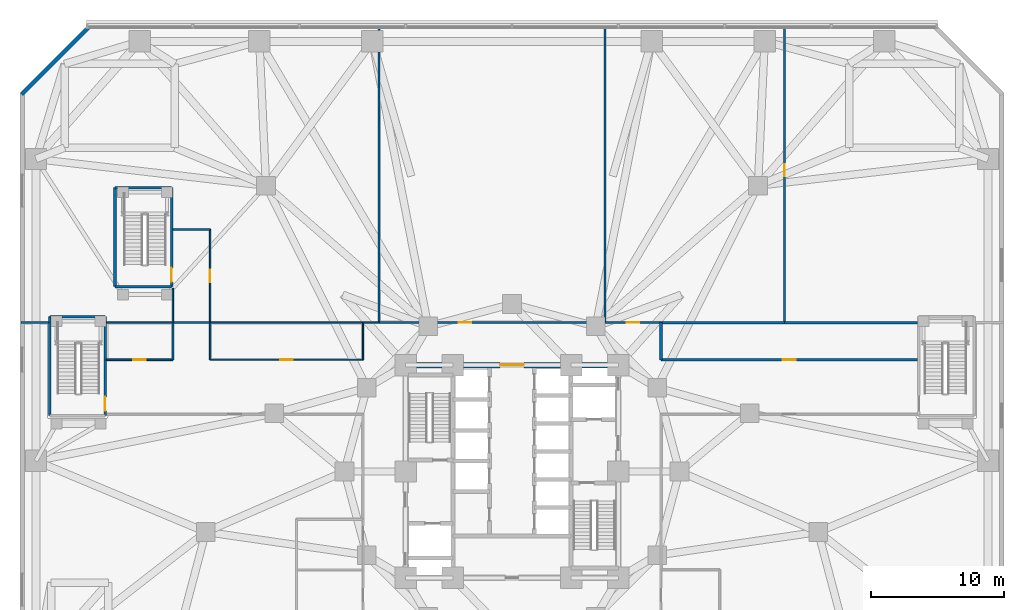
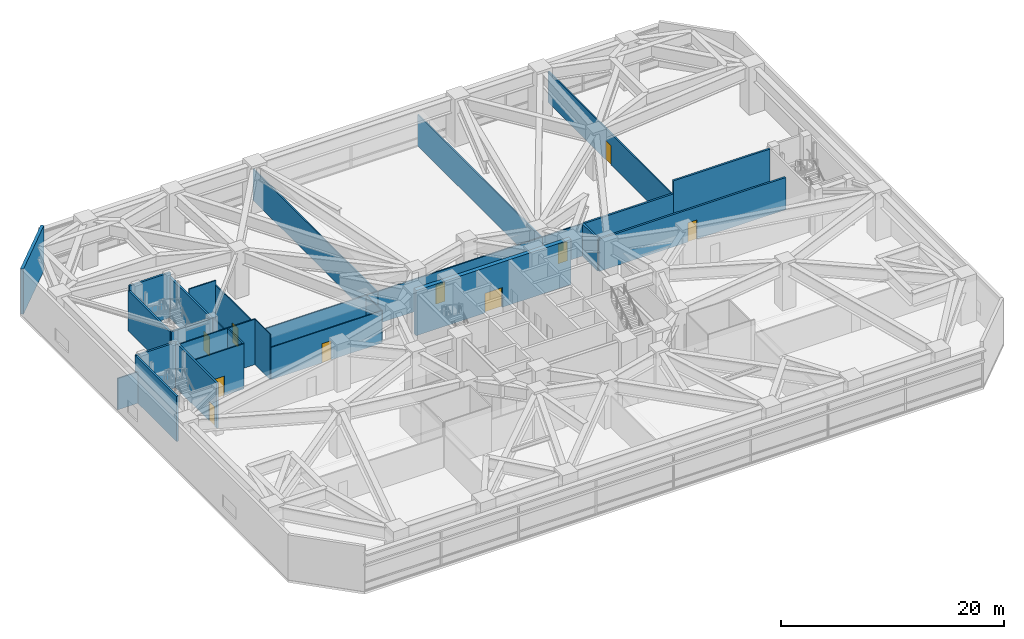
# One storey, part 17 of 27: 31 walls, 10 doors, 10 openings.
"""IFC4 building model written with IfcOpenShell, lengths in metres."""

from ifc_helpers import new_model, si_unit, direction, frame, frame_2d, origin, place, context, subcontext, project, spatial, rectangle, extrude, material, layer, layer_set, type_object, element, fill, save


model = new_model("IFC4")

# Units and contexts
model_context = context("Model", 3, precision=1e-05, world=origin(), true_north=direction((0.0, 1.0)))
body_context = subcontext(model_context, "Body", "Model", "MODEL_VIEW")
ifc_project = project(units=[si_unit("LENGTHUNIT", "METRE"), si_unit("AREAUNIT", "SQUARE_METRE"), si_unit("VOLUMEUNIT", "CUBIC_METRE"), si_unit("PLANEANGLEUNIT", "RADIAN"), si_unit("MASSUNIT", "GRAM", prefix="KILO")], contexts=[model_context])

# Site, building, storey
site_placement = place(None, origin())
site = spatial("IfcSite", under=ifc_project, at=site_placement, CompositionType="ELEMENT")
building_placement = place(site_placement, origin())
building = spatial("IfcBuilding", under=site, at=building_placement, Name="Terralouvre Media Tower", CompositionType="ELEMENT")
storey_placement = place(building_placement, frame((0.0, 0.0, 20.800048828125)))
storey = spatial("IfcBuildingStorey", under=building, at=storey_placement, Name="L04", CompositionType="ELEMENT", Elevation=20.800048828125)

# Wall, opening, door
ifc_material_1 = material(Name="Concrete C60/75", Category="concrete")
ifc_layer_1 = layer(ifc_material_1, 0.419921875, Name="Core Reinforced Concrete Shear Wall CW-420")
ifc_layer_set_1 = layer_set([ifc_layer_1], Name="Concrete C60/75")
wall_type_1 = type_object("IfcWallType", Name="Core Reinforced Concrete Shear Wall CW-420", PredefinedType="SHEAR", material=ifc_layer_set_1)
wall_1_placement = place(storey_placement, frame((-8.0, 8.0, 0.0), z_axis=(0.0, 0.0, 1.0), x_axis=(1.0, 0.0, 0.0)))
wall_1 = element("IfcWall", 1, at=wall_1_placement, inside=storey, type_object=wall_type_1, Name="L04 N Core Shear Wall", PredefinedType="SHEAR", context=body_context, shape_type="SweptSolid", body=[
    extrude(rectangle(XDim=16.0, YDim=0.419921875, at=frame_2d((8.0, 0.0))), origin(), (0.0, 0.0, 1.0), 4.93994140625),
])
opening_1_placement = place(wall_1_placement, frame((7.10009765625, 0.0, 0.0)))
opening_1 = element("IfcOpeningElement", 2, at=opening_1_placement, cuts=wall_1, Name="Opening FD-03", PredefinedType="OPENING", context=body_context, shape_type="SweptSolid", body=[
    extrude(rectangle(XDim=1.800048828125, YDim=2.14990234375, at=frame_2d((0.89990234375, 1.074951171875))), frame((0.0, 0.219970703125, 0.0), z_axis=(0.0, -1.0, 0.0), x_axis=(1.0, 0.0, 0.0)), (0.0, 0.0, 1.0), 0.43994140625),
])
ifc_material_2 = material(Name="Galvanised steel fire-resisting leaf", Category="steel")
door_type_1 = type_object("IfcDoorType", Name="Corridor Smoke-Control Double Door FD-03", OperationType="DOUBLE_DOOR_SINGLE_SWING", PredefinedType="DOOR", material=ifc_material_2)
door_1_placement = place(opening_1_placement, origin())
door_1 = element("IfcDoor", 3, at=door_1_placement, inside=storey, type_object=door_type_1, Name="L04 Central Lift Lobby Portal Door", OperationType="DOUBLE_DOOR_SINGLE_SWING", OverallHeight=2.14990234375, OverallWidth=1.800048828125, PredefinedType="DOOR", context=body_context, shape_type="SweptSolid", body=[
    extrude(rectangle(XDim=1.800048828125, YDim=2.14990234375, at=frame_2d((0.89990234375, 1.074951171875))), frame((0.0, 0.02490234375, 0.0), z_axis=(0.0, -1.0, 0.0), x_axis=(1.0, 0.0, 0.0)), (0.0, 0.0, 1.0), 0.050048828125),
])
fill(opening_1, door_1)

# Wall
ifc_material_3 = material(Name="Low-iron laminated double glazing with solar-control coating", Category="glass")
ifc_layer_2 = layer(ifc_material_3, 0.10009765625, Name="Demountable Glazed Office Partition PT-GL100")
ifc_layer_set_2 = layer_set([ifc_layer_2], Name="Low-iron laminated double glazing with solar-control coating")
wall_type_2 = type_object("IfcWallType", Name="Demountable Glazed Office Partition PT-GL100", PredefinedType="MOVABLE", material=ifc_layer_set_2)
wall_2_placement = place(storey_placement, frame((-11.199951171875, 11.199951171875, 0.0), z_axis=(0.0, 0.0, 1.0), x_axis=(0.0, -1.0, 0.0)))
element("IfcWall", 4, at=wall_2_placement, inside=storey, type_object=wall_type_2, Name="L04 Interior Partition 016", PredefinedType="MOVABLE", context=body_context, shape_type="SweptSolid", body=[
    extrude(rectangle(XDim=2.800048828125, YDim=0.10009765625, at=frame_2d((1.39990234375, 0.0))), origin(), (0.0, 0.0, 1.0), 3.52490234375),
])

# Wall, opening, door
wall_3_placement = place(storey_placement, frame((-11.199951171875, 8.39990234375, 0.0), z_axis=(0.0, 0.0, 1.0), x_axis=(-1.0, 0.0, 0.0)))
wall_3 = element("IfcWall", 5, at=wall_3_placement, inside=storey, type_object=wall_type_2, Name="L04 Interior Partition 017", PredefinedType="MOVABLE", context=body_context, shape_type="SweptSolid", body=[
    extrude(rectangle(XDim=11.5, YDim=0.10009765625, at=frame_2d((5.75, 0.0))), origin(), (0.0, 0.0, 1.0), 3.52490234375),
])
opening_2_placement = place(wall_3_placement, frame((5.27490234375, 0.0, 0.0)))
opening_2 = element("IfcOpeningElement", 6, at=opening_2_placement, cuts=wall_3, Name="Opening ID-02-95X210", PredefinedType="OPENING", context=body_context, shape_type="SweptSolid", body=[
    extrude(rectangle(XDim=0.949951171875, YDim=2.10009765625, at=frame_2d((0.47509765625, 1.050048828125))), frame((0.0, 0.06005859375, 0.0), z_axis=(0.0, -1.0, 0.0), x_axis=(1.0, 0.0, 0.0)), (0.0, 0.0, 1.0), 0.1201171875),
])
ifc_material_4 = material(Name="Engineered hardwood acoustic timber leaf", Category="wood")
door_type_2 = type_object("IfcDoorType", Name="Office and Meeting Room Door ID-02 (950x2100)", OperationType="NOTDEFINED", PredefinedType="DOOR", material=ifc_material_4)
door_2_placement = place(opening_2_placement, origin())
door_2 = element("IfcDoor", 7, at=door_2_placement, inside=storey, type_object=door_type_2, Name="L04 L04 Media Training Academy Classroom 12 Door", OperationType="SINGLE_SWING_LEFT", OverallHeight=2.10009765625, OverallWidth=0.949951171875, PredefinedType="DOOR", context=body_context, shape_type="SweptSolid", body=[
    extrude(rectangle(XDim=0.949951171875, YDim=2.10009765625, at=frame_2d((0.47509765625, 1.050048828125))), frame((0.0, 0.02490234375, 0.0), z_axis=(0.0, -1.0, 0.0), x_axis=(1.0, 0.0, 0.0)), (0.0, 0.0, 1.0), 0.050048828125),
])
fill(opening_2, door_2)

# Wall
wall_4_placement = place(storey_placement, frame((-22.699951171875, 8.39990234375, 0.0), z_axis=(0.0, 0.0, 1.0), x_axis=(0.0, 1.0, 0.0)))
element("IfcWall", 8, at=wall_4_placement, inside=storey, type_object=wall_type_2, Name="L04 Interior Partition 018", PredefinedType="MOVABLE", context=body_context, shape_type="SweptSolid", body=[
    extrude(rectangle(XDim=2.800048828125, YDim=0.10009765625, at=frame_2d((1.39990234375, 0.0))), origin(), (0.0, 0.0, 1.0), 4.93994140625),
])

# Wall, opening, door
ifc_material_5 = material(Name="Fire-rated gypsum board drywall partition")
ifc_layer_3 = layer(ifc_material_5, 0.199951171875, Name="Fire-Rated Shaft and Lobby Partition FW-200")
ifc_layer_set_3 = layer_set([ifc_layer_3], Name="Fire-rated gypsum board drywall partition")
wall_type_3 = type_object("IfcWallType", Name="Fire-Rated Shaft and Lobby Partition FW-200", PredefinedType="SOLIDWALL", material=ifc_layer_set_3)
wall_5_placement = place(storey_placement, frame((-30.60009765625, 4.199951171875, 0.0), z_axis=(0.0, 0.0, 1.0), x_axis=(0.0, 1.0, 0.0)))
wall_5 = element("IfcWall", 9, at=wall_5_placement, inside=storey, type_object=wall_type_3, Name="L04 ST03 Stair Shaft Wall E", PredefinedType="SOLIDWALL", context=body_context, shape_type="SweptSolid", body=[
    extrude(rectangle(XDim=7.449951171875, YDim=0.199951171875, at=frame_2d((3.72509765625, 0.0))), origin(), (0.0, 0.0, 1.0), 4.93994140625),
])
opening_3_placement = place(wall_5_placement, frame((0.360107421875, 0.0, 0.0)))
opening_3 = element("IfcOpeningElement", 10, at=opening_3_placement, cuts=wall_5, Name="Opening FD-01-105X215", PredefinedType="OPENING", context=body_context, shape_type="SweptSolid", body=[
    extrude(rectangle(XDim=1.050048828125, YDim=2.14990234375, at=frame_2d((0.52490234375, 1.074951171875))), frame((0.0, 0.10986328125, 0.0), z_axis=(0.0, -1.0, 0.0), x_axis=(1.0, 0.0, 0.0)), (0.0, 0.0, 1.0), 0.219970703125),
])
ifc_material_6 = material(Name="Galvanised steel fire-resisting leaf", Category="steel")
door_type_3 = type_object("IfcDoorType", Name="Stair and Firefighting Lobby Fire Door FD-01 (1050x2150)", OperationType="NOTDEFINED", PredefinedType="DOOR", material=ifc_material_6)
door_3_placement = place(opening_3_placement, origin())
door_3 = element("IfcDoor", 11, at=door_3_placement, inside=storey, type_object=door_type_3, Name="L04 ST03 Pressurised Stair Door", OperationType="SINGLE_SWING_RIGHT", OverallHeight=2.14990234375, OverallWidth=1.050048828125, PredefinedType="DOOR", context=body_context, shape_type="SweptSolid", body=[
    extrude(rectangle(XDim=1.050048828125, YDim=2.14990234375, at=frame_2d((0.52490234375, 1.074951171875))), frame((0.0, 0.02490234375, 0.0), z_axis=(0.0, -1.0, 0.0), x_axis=(1.0, 0.0, 0.0)), (0.0, 0.0, 1.0), 0.050048828125),
])
fill(opening_3, door_3)

# Walls
wall_6_placement = place(storey_placement, frame((-30.60009765625, 11.64990234375, 0.0), z_axis=(0.0, 0.0, 1.0), x_axis=(-1.0, 0.0, 0.0)))
element("IfcWall", 12, at=wall_6_placement, inside=storey, type_object=wall_type_3, Name="L04 ST03 Stair Shaft Wall N", PredefinedType="SOLIDWALL", context=body_context, shape_type="SweptSolid", body=[
    extrude(rectangle(XDim=4.14990234375, YDim=0.199951171875, at=frame_2d((2.074951171875, 0.0))), origin(), (0.0, 0.0, 1.0), 4.93994140625),
])
wall_7_placement = place(storey_placement, frame((-34.75, 11.64990234375, 0.0), z_axis=(0.0, 0.0, 1.0), x_axis=(0.0, -1.0, 0.0)))
element("IfcWall", 13, at=wall_7_placement, inside=storey, type_object=wall_type_3, Name="L04 ST03 Stair Shaft Wall W", PredefinedType="SOLIDWALL", context=body_context, shape_type="SweptSolid", body=[
    extrude(rectangle(XDim=7.449951171875, YDim=0.199951171875, at=frame_2d((3.72509765625, 0.0))), origin(), (0.0, 0.0, 1.0), 4.93994140625),
])
wall_8_placement = place(storey_placement, frame((-29.85009765625, 13.89990234375, 0.0), z_axis=(0.0, 0.0, 1.0), x_axis=(1.0, 0.0, 0.0)))
element("IfcWall", 14, at=wall_8_placement, inside=storey, type_object=wall_type_3, Name="L04 ST06 Stair Shaft Wall S", PredefinedType="SOLIDWALL", context=body_context, shape_type="SweptSolid", body=[
    extrude(rectangle(XDim=4.25, YDim=0.199951171875, at=frame_2d((2.125, 0.0))), origin(), (0.0, 0.0, 1.0), 4.425048828125),
])

# Wall, opening, door
wall_9_placement = place(storey_placement, frame((-25.60009765625, 13.89990234375, 0.0), z_axis=(0.0, 0.0, 1.0), x_axis=(0.0, 1.0, 0.0)))
wall_9 = element("IfcWall", 15, at=wall_9_placement, inside=storey, type_object=wall_type_3, Name="L04 ST06 Stair Shaft Wall E", PredefinedType="SOLIDWALL", context=body_context, shape_type="SweptSolid", body=[
    extrude(rectangle(XDim=7.4501953125, YDim=0.199951171875, at=frame_2d((3.72509765625, 0.0))), origin(), (0.0, 0.0, 1.0), 4.425048828125),
])
opening_4_placement = place(wall_9_placement, frame((0.360107421875, 0.0, 0.0)))
opening_4 = element("IfcOpeningElement", 16, at=opening_4_placement, cuts=wall_9, Name="Opening FD-01-105X215", PredefinedType="OPENING", context=body_context, shape_type="SweptSolid", body=[
    extrude(rectangle(XDim=1.050048828125, YDim=2.14990234375, at=frame_2d((0.52490234375, 1.074951171875))), frame((0.0, 0.10986328125, 0.0), z_axis=(0.0, -1.0, 0.0), x_axis=(1.0, 0.0, 0.0)), (0.0, 0.0, 1.0), 0.219970703125),
])
door_4_placement = place(opening_4_placement, origin())
door_4 = element("IfcDoor", 17, at=door_4_placement, inside=storey, type_object=door_type_3, Name="L04 ST06 Pressurised Stair Door", OperationType="SINGLE_SWING_RIGHT", OverallHeight=2.14990234375, OverallWidth=1.050048828125, PredefinedType="DOOR", context=body_context, shape_type="SweptSolid", body=[
    extrude(rectangle(XDim=1.050048828125, YDim=2.14990234375, at=frame_2d((0.52490234375, 1.074951171875))), frame((0.0, 0.02490234375, 0.0), z_axis=(0.0, -1.0, 0.0), x_axis=(1.0, 0.0, 0.0)), (0.0, 0.0, 1.0), 0.050048828125),
])
fill(opening_4, door_4)

# Walls
wall_10_placement = place(storey_placement, frame((-25.60009765625, 21.35009765625, 0.0), z_axis=(0.0, 0.0, 1.0), x_axis=(-1.0, 0.0, 0.0)))
element("IfcWall", 18, at=wall_10_placement, inside=storey, type_object=wall_type_3, Name="L04 ST06 Stair Shaft Wall N", PredefinedType="SOLIDWALL", context=body_context, shape_type="SweptSolid", body=[
    extrude(rectangle(XDim=4.25, YDim=0.199951171875, at=frame_2d((2.125, 0.0))), origin(), (0.0, 0.0, 1.0), 4.93994140625),
])
wall_11_placement = place(storey_placement, frame((-29.85009765625, 21.35009765625, 0.0), z_axis=(0.0, 0.0, 1.0), x_axis=(0.0, -1.0, 0.0)))
element("IfcWall", 19, at=wall_11_placement, inside=storey, type_object=wall_type_3, Name="L04 ST06 Stair Shaft Wall W", PredefinedType="SOLIDWALL", context=body_context, shape_type="SweptSolid", body=[
    extrude(rectangle(XDim=7.4501953125, YDim=0.199951171875, at=frame_2d((3.72509765625, 0.0))), origin(), (0.0, 0.0, 1.0), 4.425048828125),
])

# Wall, opening, door
wall_12_placement = place(storey_placement, frame((30.5, 8.39990234375, 0.0), z_axis=(0.0, 0.0, 1.0), x_axis=(-1.0, 0.0, 0.0)))
wall_12 = element("IfcWall", 20, at=wall_12_placement, inside=storey, type_object=wall_type_3, Name="L04 Interior Partition 011", PredefinedType="SOLIDWALL", context=body_context, shape_type="SweptSolid", body=[
    extrude(rectangle(XDim=19.300048828125, YDim=0.199951171875, at=frame_2d((9.64990234375, 0.0))), origin(), (0.0, 0.0, 1.0), 3.52490234375),
])
opening_5_placement = place(wall_12_placement, frame((9.175048828125, 0.0, 0.0)))
opening_5 = element("IfcOpeningElement", 21, at=opening_5_placement, cuts=wall_12, Name="Opening FD-02-95X210", PredefinedType="OPENING", context=body_context, shape_type="SweptSolid", body=[
    extrude(rectangle(XDim=0.949951171875, YDim=2.10009765625, at=frame_2d((0.47509765625, 1.050048828125))), frame((0.0, 0.10986328125, 0.0), z_axis=(0.0, -1.0, 0.0), x_axis=(1.0, 0.0, 0.0)), (0.0, 0.0, 1.0), 0.219970703125),
])
ifc_material_7 = material(Name="Galvanised steel fire-resisting leaf", Category="steel")
door_type_4 = type_object("IfcDoorType", Name="Plant and Riser Fire Door FD-02 (950x2100)", OperationType="NOTDEFINED", PredefinedType="DOOR", material=ifc_material_7)
door_5_placement = place(opening_5_placement, origin())
door_5 = element("IfcDoor", 22, at=door_5_placement, inside=storey, type_object=door_type_4, Name="L04 L04 Podium Mechanical AHU Plant Room 7 Door", OperationType="SINGLE_SWING_LEFT", OverallHeight=2.10009765625, OverallWidth=0.949951171875, PredefinedType="DOOR", context=body_context, shape_type="SweptSolid", body=[
    extrude(rectangle(XDim=0.949951171875, YDim=2.10009765625, at=frame_2d((0.47509765625, 1.050048828125))), frame((0.0, 0.02490234375, 0.0), z_axis=(0.0, -1.0, 0.0), x_axis=(1.0, 0.0, 0.0)), (0.0, 0.0, 1.0), 0.050048828125),
])
fill(opening_5, door_5)

# Walls
wall_13_placement = place(storey_placement, frame((11.199951171875, 8.39990234375, 0.0), z_axis=(0.0, 0.0, 1.0), x_axis=(0.0, 1.0, 0.0)))
element("IfcWall", 23, at=wall_13_placement, inside=storey, type_object=wall_type_3, Name="L04 Interior Partition 012", PredefinedType="SOLIDWALL", context=body_context, shape_type="SweptSolid", body=[
    extrude(rectangle(XDim=2.800048828125, YDim=0.199951171875, at=frame_2d((1.39990234375, 0.0))), origin(), (0.0, 0.0, 1.0), 3.52490234375),
])
wall_14_placement = place(storey_placement, frame((30.5, 11.199951171875, 0.0), z_axis=(0.0, 0.0, 1.0), x_axis=(-1.0, 0.0, 0.0)))
element("IfcWall", 24, at=wall_14_placement, inside=storey, type_object=wall_type_3, Name="L04 Interior Partition 040", PredefinedType="SOLIDWALL", context=body_context, shape_type="SweptSolid", body=[
    extrude(rectangle(XDim=10.0, YDim=0.199951171875, at=frame_2d((5.0, 0.0))), origin(), (0.0, 0.0, 1.0), 4.93994140625),
])
wall_15_placement = place(storey_placement, frame((20.5, 11.199951171875, 0.0), z_axis=(0.0, 0.0, 1.0), x_axis=(-1.0, 0.0, 0.0)))
element("IfcWall", 25, at=wall_15_placement, inside=storey, type_object=wall_type_3, Name="L04 Interior Partition 041", PredefinedType="SOLIDWALL", context=body_context, shape_type="SweptSolid", body=[
    extrude(rectangle(XDim=9.300048828125, YDim=0.199951171875, at=frame_2d((4.64990234375, 0.0))), origin(), (0.0, 0.0, 1.0), 3.52490234375),
])
ifc_material_8 = material(Name="Fire-rated gypsum board drywall partition")
ifc_layer_4 = layer(ifc_material_8, 0.135009765625, Name="Newsroom Acoustic Partition PT-135")
ifc_layer_set_4 = layer_set([ifc_layer_4], Name="Fire-rated gypsum board drywall partition")
wall_type_4 = type_object("IfcWallType", Name="Newsroom Acoustic Partition PT-135", PredefinedType="PARTITIONING", material=ifc_layer_set_4)
wall_16_placement = place(storey_placement, frame((-22.699951171875, 11.199951171875, 0.0), z_axis=(0.0, 0.0, 1.0), x_axis=(-1.0, 0.0, 0.0)))
element("IfcWall", 26, at=wall_16_placement, inside=storey, type_object=wall_type_4, Name="L04 Interior Partition 001", PredefinedType="PARTITIONING", context=body_context, shape_type="SweptSolid", body=[
    extrude(rectangle(XDim=2.800048828125, YDim=0.135009765625, at=frame_2d((1.39990234375, 0.0))), origin(), (0.0, 0.0, 1.0), 4.93994140625),
])

# Wall, opening, door
wall_17_placement = place(storey_placement, frame((11.199951171875, 11.199951171875, 0.0), z_axis=(0.0, 0.0, 1.0), x_axis=(-1.0, 0.0, 0.0)))
wall_17 = element("IfcWall", 27, at=wall_17_placement, inside=storey, type_object=wall_type_4, Name="L04 Interior Partition 013", PredefinedType="PARTITIONING", context=body_context, shape_type="SweptSolid", body=[
    extrude(rectangle(XDim=4.199951171875, YDim=0.135009765625, at=frame_2d((2.10009765625, 0.0))), origin(), (0.0, 0.0, 1.0), 3.52490234375),
])
opening_6_placement = place(wall_17_placement, frame((1.625, 0.0, 0.0)))
opening_6 = element("IfcOpeningElement", 28, at=opening_6_placement, cuts=wall_17, Name="Opening ID-02-95X210", PredefinedType="OPENING", context=body_context, shape_type="SweptSolid", body=[
    extrude(rectangle(XDim=0.949951171875, YDim=2.10009765625, at=frame_2d((0.47509765625, 1.050048828125))), frame((0.0, 0.077392578125, 0.0), z_axis=(0.0, -1.0, 0.0), x_axis=(1.0, 0.0, 0.0)), (0.0, 0.0, 1.0), 0.155029296875),
])
door_6_placement = place(opening_6_placement, origin())
door_6 = element("IfcDoor", 29, at=door_6_placement, inside=storey, type_object=door_type_2, Name="L04 L04 Integrated Digital Newsroom Open Office 9 Door", OperationType="SINGLE_SWING_RIGHT", OverallHeight=2.10009765625, OverallWidth=0.949951171875, PredefinedType="DOOR", context=body_context, shape_type="SweptSolid", body=[
    extrude(rectangle(XDim=0.949951171875, YDim=2.10009765625, at=frame_2d((0.47509765625, 1.050048828125))), frame((0.0, 0.02490234375, 0.0), z_axis=(0.0, -1.0, 0.0), x_axis=(1.0, 0.0, 0.0)), (0.0, 0.0, 1.0), 0.050048828125),
])
fill(opening_6, door_6)

wall_18_placement = place(storey_placement, frame((7.0, 11.199951171875, 0.0), z_axis=(0.0, 0.0, 1.0), x_axis=(-1.0, 0.0, 0.0)))
wall_18 = element("IfcWall", 30, at=wall_18_placement, inside=storey, type_object=wall_type_4, Name="L04 Interior Partition 014", PredefinedType="PARTITIONING", context=body_context, shape_type="SweptSolid", body=[
    extrude(rectangle(XDim=17.0, YDim=0.135009765625, at=frame_2d((8.5, 0.0))), origin(), (0.0, 0.0, 1.0), 3.52490234375),
])
opening_7_placement = place(wall_18_placement, frame((10.06494140625, 0.0, 0.0)))
opening_7 = element("IfcOpeningElement", 31, at=opening_7_placement, cuts=wall_18, Name="Opening ID-02-95X210", PredefinedType="OPENING", context=body_context, shape_type="SweptSolid", body=[
    extrude(rectangle(XDim=0.949951171875, YDim=2.10009765625, at=frame_2d((0.47509765625, 1.050048828125))), frame((0.0, 0.077392578125, 0.0), z_axis=(0.0, -1.0, 0.0), x_axis=(1.0, 0.0, 0.0)), (0.0, 0.0, 1.0), 0.155029296875),
])
door_7_placement = place(opening_7_placement, origin())
door_7 = element("IfcDoor", 32, at=door_7_placement, inside=storey, type_object=door_type_2, Name="L04 L04 Staff Broadcast Canteen Dining Room 10 Door", OperationType="SINGLE_SWING_LEFT", OverallHeight=2.10009765625, OverallWidth=0.949951171875, PredefinedType="DOOR", context=body_context, shape_type="SweptSolid", body=[
    extrude(rectangle(XDim=0.949951171875, YDim=2.10009765625, at=frame_2d((0.47509765625, 1.050048828125))), frame((0.0, 0.02490234375, 0.0), z_axis=(0.0, -1.0, 0.0), x_axis=(1.0, 0.0, 0.0)), (0.0, 0.0, 1.0), 0.050048828125),
])
fill(opening_7, door_7)

# Wall
wall_19_placement = place(storey_placement, frame((-25.5, 11.199951171875, 0.0), z_axis=(0.0, 0.0, 1.0), x_axis=(0.0, -1.0, 0.0)))
element("IfcWall", 33, at=wall_19_placement, inside=storey, type_object=wall_type_4, Name="L04 Interior Partition 019", PredefinedType="PARTITIONING", context=body_context, shape_type="SweptSolid", body=[
    extrude(rectangle(XDim=2.800048828125, YDim=0.135009765625, at=frame_2d((1.39990234375, 0.0))), origin(), (0.0, 0.0, 1.0), 4.93994140625),
])

# Wall, opening, door
wall_20_placement = place(storey_placement, frame((-25.5, 8.39990234375, 0.0), z_axis=(0.0, 0.0, 1.0), x_axis=(-1.0, 0.0, 0.0)))
wall_20 = element("IfcWall", 34, at=wall_20_placement, inside=storey, type_object=wall_type_4, Name="L04 Interior Partition 020", PredefinedType="PARTITIONING", context=body_context, shape_type="SweptSolid", body=[
    extrude(rectangle(XDim=5.0, YDim=0.135009765625, at=frame_2d((2.5, 0.0))), origin(), (0.0, 0.0, 1.0), 4.93994140625),
])
opening_8_placement = place(wall_20_placement, frame((2.02490234375, 0.0, 0.0)))
opening_8 = element("IfcOpeningElement", 35, at=opening_8_placement, cuts=wall_20, Name="Opening ID-02-95X210", PredefinedType="OPENING", context=body_context, shape_type="SweptSolid", body=[
    extrude(rectangle(XDim=0.949951171875, YDim=2.10009765625, at=frame_2d((0.47509765625, 1.050048828125))), frame((0.0, 0.077392578125, 0.0), z_axis=(0.0, -1.0, 0.0), x_axis=(1.0, 0.0, 0.0)), (0.0, 0.0, 1.0), 0.155029296875),
])
door_8_placement = place(opening_8_placement, origin())
door_8 = element("IfcDoor", 36, at=door_8_placement, inside=storey, type_object=door_type_2, Name="L04 L04 Staff Wellness Fitness Gym 13 Door", OperationType="SINGLE_SWING_RIGHT", OverallHeight=2.10009765625, OverallWidth=0.949951171875, PredefinedType="DOOR", context=body_context, shape_type="SweptSolid", body=[
    extrude(rectangle(XDim=0.949951171875, YDim=2.10009765625, at=frame_2d((0.47509765625, 1.050048828125))), frame((0.0, 0.02490234375, 0.0), z_axis=(0.0, -1.0, 0.0), x_axis=(1.0, 0.0, 0.0)), (0.0, 0.0, 1.0), 0.050048828125),
])
fill(opening_8, door_8)

# Wall
wall_21_placement = place(storey_placement, frame((-34.85009765625, 11.199951171875, 0.0), z_axis=(0.0, 0.0, 1.0), x_axis=(-1.0, 0.0, 0.0)))
element("IfcWall", 37, at=wall_21_placement, inside=storey, type_object=wall_type_4, Name="L04 Interior Partition 028", PredefinedType="PARTITIONING", context=body_context, shape_type="SweptSolid", body=[
    extrude(rectangle(XDim=2.06982421875, YDim=0.135009765625, at=frame_2d((1.034912109375, 0.0))), origin(), (0.0, 0.0, 1.0), 3.425048828125),
])

# Wall, opening, door
wall_22_placement = place(storey_placement, frame((20.5, 33.419921875, 0.0), z_axis=(0.0, 0.0, 1.0), x_axis=(0.0, -1.0, 0.0)))
wall_22 = element("IfcWall", 38, at=wall_22_placement, inside=storey, type_object=wall_type_4, Name="L04 Interior Partition 042", PredefinedType="PARTITIONING", context=body_context, shape_type="SweptSolid", body=[
    extrude(rectangle(XDim=22.219970703125, YDim=0.135009765625, at=frame_2d((11.10986328125, 0.0))), origin(), (0.0, 0.0, 1.0), 3.425048828125),
])
opening_9_placement = place(wall_22_placement, frame((10.300048828125, 0.0, 0.0)))
opening_9 = element("IfcOpeningElement", 39, at=opening_9_placement, cuts=wall_22, Name="Opening ID-03-92X210", PredefinedType="OPENING", context=body_context, shape_type="SweptSolid", body=[
    extrude(rectangle(XDim=0.919921875, YDim=2.10009765625, at=frame_2d((0.4599609375, 1.050048828125))), frame((0.0, 0.077392578125, 0.0), z_axis=(0.0, -1.0, 0.0), x_axis=(1.0, 0.0, 0.0)), (0.0, 0.0, 1.0), 0.155029296875),
])
ifc_material_9 = material(Name="Engineered hardwood acoustic timber leaf", Category="wood")
door_type_5 = type_object("IfcDoorType", Name="Accessible Restroom and Suite Door ID-03 (920x2100)", OperationType="NOTDEFINED", PredefinedType="DOOR", material=ifc_material_9)
door_9_placement = place(opening_9_placement, origin())
door_9 = element("IfcDoor", 40, at=door_9_placement, inside=storey, type_object=door_type_5, Name="L04 L04 Catering Dry Goods Store 8 Door", OperationType="SINGLE_SWING_LEFT", OverallHeight=2.10009765625, OverallWidth=0.919921875, PredefinedType="DOOR", context=body_context, shape_type="SweptSolid", body=[
    extrude(rectangle(XDim=0.919921875, YDim=2.10009765625, at=frame_2d((0.4599609375, 1.050048828125))), frame((0.0, 0.02490234375, 0.0), z_axis=(0.0, -1.0, 0.0), x_axis=(1.0, 0.0, 0.0)), (0.0, 0.0, 1.0), 0.050048828125),
])
fill(opening_9, door_9)

# Walls
for number, where, z_axis, x_axis, name in (
    (41, (7.0, 33.419921875, 0.0), (0.0, 0.0, 1.0), (0.0, -1.0, 0.0), "L04 Interior Partition 043"),
    (42, (-10.0, 33.419921875, 0.0), (0.0, 0.0, 1.0), (0.0, -1.0, 0.0), "L04 Interior Partition 044"),
):
    element("IfcWall", number, at=place(storey_placement, frame(where, z_axis=z_axis, x_axis=x_axis)), inside=storey, type_object=wall_type_4, Name=name, PredefinedType="PARTITIONING", context=body_context, shape_type="SweptSolid", body=[
        extrude(rectangle(XDim=22.219970703125, YDim=0.135009765625, at=frame_2d((11.10986328125, 0.0))), origin(), (0.0, 0.0, 1.0), 3.425048828125),
    ])
ifc_material_10 = material(Name="Kiln-fired architectural terracotta rainscreen cladding", Category="masonry")
ifc_layer_5 = layer(ifc_material_10, 0.300048828125, Name="Podium Acoustic Terracotta Cladding Wall EW-TC300")
ifc_layer_set_5 = layer_set([ifc_layer_5], Name="Kiln-fired architectural terracotta rainscreen cladding")
wall_type_5 = type_object("IfcWallType", Name="Podium Acoustic Terracotta Cladding Wall EW-TC300", PredefinedType="SOLIDWALL", material=ifc_layer_set_5)
wall_23_placement = place(storey_placement, frame((-31.876220703125, 33.376220703125, 0.0), z_axis=(0.0, 0.0, 1.0), x_axis=(-0.707106781187, -0.707106781187, 0.0)))
element("IfcWall", 43, at=wall_23_placement, inside=storey, type_object=wall_type_5, Name="L04 Podium Terracotta Wall F5", PredefinedType="SOLIDWALL", context=body_context, shape_type="SweptSolid", body=[
    extrude(rectangle(XDim=7.071044921875, YDim=0.300048828125, at=frame_2d((3.53564453125, 0.0))), origin(), (0.0, 0.0, 1.0), 4.93994140625),
])
ifc_material_11 = material(Name="Fire-rated gypsum board drywall partition")
ifc_layer_6 = layer(ifc_material_11, 0.114990234375, Name="Restroom and Pantry Partition PT-115")
ifc_layer_set_6 = layer_set([ifc_layer_6], Name="Fire-rated gypsum board drywall partition")
wall_type_6 = type_object("IfcWallType", Name="Restroom and Pantry Partition PT-115", PredefinedType="PARTITIONING", material=ifc_layer_set_6)
wall_24_placement = place(storey_placement, frame((-10.0, 11.199951171875, 0.0), z_axis=(0.0, 0.0, 1.0), x_axis=(-1.0, 0.0, 0.0)))
element("IfcWall", 44, at=wall_24_placement, inside=storey, type_object=wall_type_6, Name="L04 Interior Partition 015", PredefinedType="PARTITIONING", context=body_context, shape_type="SweptSolid", body=[
    extrude(rectangle(XDim=1.199951171875, YDim=0.114990234375, at=frame_2d((0.60009765625, 0.0))), origin(), (0.0, 0.0, 1.0), 3.52490234375),
])
wall_25_placement = place(storey_placement, frame((-25.5, 13.800048828125, 0.0), z_axis=(0.0, 0.0, 1.0), x_axis=(0.0, -1.0, 0.0)))
element("IfcWall", 45, at=wall_25_placement, inside=storey, type_object=wall_type_6, Name="L04 Interior Partition 021", PredefinedType="PARTITIONING", context=body_context, shape_type="SweptSolid", body=[
    extrude(rectangle(XDim=2.60009765625, YDim=0.114990234375, at=frame_2d((1.300048828125, 0.0))), origin(), (0.0, 0.0, 1.0), 4.425048828125),
])

# Wall, opening, door
wall_26_placement = place(storey_placement, frame((-22.699951171875, 11.199951171875, 0.0), z_axis=(0.0, 0.0, 1.0), x_axis=(0.0, 1.0, 0.0)))
wall_26 = element("IfcWall", 46, at=wall_26_placement, inside=storey, type_object=wall_type_6, Name="L04 Interior Partition 022", PredefinedType="PARTITIONING", context=body_context, shape_type="SweptSolid", body=[
    extrude(rectangle(XDim=7.0, YDim=0.114990234375, at=frame_2d((3.5, 0.0))), origin(), (0.0, 0.0, 1.0), 4.425048828125),
])
opening_10_placement = place(wall_26_placement, frame((3.02490234375, 0.0, 0.0)))
opening_10 = element("IfcOpeningElement", 47, at=opening_10_placement, cuts=wall_26, Name="Opening SD-01-95X210", PredefinedType="OPENING", context=body_context, shape_type="SweptSolid", body=[
    extrude(rectangle(XDim=0.949951171875, YDim=2.10009765625, at=frame_2d((0.47509765625, 1.050048828125))), frame((0.0, 0.0673828125, 0.0), z_axis=(0.0, -1.0, 0.0), x_axis=(1.0, 0.0, 0.0)), (0.0, 0.0, 1.0), 0.135009765625),
])
ifc_material_12 = material(Name="Anodised extruded aluminium 6063-T6", Category="aluminium")
door_type_6 = type_object("IfcDoorType", Name="Pantry Pocket Sliding Door SD-01 (950x2100)", OperationType="SLIDING_TO_LEFT", PredefinedType="DOOR", material=ifc_material_12)
door_10_placement = place(opening_10_placement, origin())
door_10 = element("IfcDoor", 48, at=door_10_placement, inside=storey, type_object=door_type_6, Name="L04 L04 Commercial Culinary Kitchen 11 Door", OperationType="SLIDING_TO_LEFT", OverallHeight=2.10009765625, OverallWidth=0.949951171875, PredefinedType="DOOR", context=body_context, shape_type="SweptSolid", body=[
    extrude(rectangle(XDim=0.949951171875, YDim=2.10009765625, at=frame_2d((0.47509765625, 1.050048828125))), frame((0.0, 0.02490234375, 0.0), z_axis=(0.0, -1.0, 0.0), x_axis=(1.0, 0.0, 0.0)), (0.0, 0.0, 1.0), 0.050048828125),
])
fill(opening_10, door_10)

# Walls
wall_27_placement = place(storey_placement, frame((-22.699951171875, 18.199951171875, 0.0), z_axis=(0.0, 0.0, 1.0), x_axis=(-1.0, 0.0, 0.0)))
element("IfcWall", 49, at=wall_27_placement, inside=storey, type_object=wall_type_6, Name="L04 Interior Partition 023", PredefinedType="PARTITIONING", context=body_context, shape_type="SweptSolid", body=[
    extrude(rectangle(XDim=2.800048828125, YDim=0.114990234375, at=frame_2d((1.39990234375, 0.0))), origin(), (0.0, 0.0, 1.0), 4.93994140625),
])
wall_28_placement = place(storey_placement, frame((-22.699951171875, 11.199951171875, 0.0), z_axis=(0.0, 0.0, 1.0), x_axis=(1.0, 0.0, 0.0)))
element("IfcWall", 50, at=wall_28_placement, inside=storey, type_object=wall_type_6, Name="L04 Interior Partition 045", PredefinedType="PARTITIONING", context=body_context, shape_type="SweptSolid", body=[
    extrude(rectangle(XDim=11.5, YDim=0.114990234375, at=frame_2d((5.75, 0.0))), origin(), (0.0, 0.0, 1.0), 3.52490234375),
])
wall_29_placement = place(storey_placement, frame((-30.5, 11.199951171875, 0.0), z_axis=(0.0, 0.0, 1.0), x_axis=(1.0, 0.0, 0.0)))
element("IfcWall", 51, at=wall_29_placement, inside=storey, type_object=wall_type_6, Name="L04 Interior Partition 046", PredefinedType="PARTITIONING", context=body_context, shape_type="SweptSolid", body=[
    extrude(rectangle(XDim=5.0, YDim=0.114990234375, at=frame_2d((2.5, 0.0))), origin(), (0.0, 0.0, 1.0), 4.93994140625),
])

save(model, "model.ifc")
